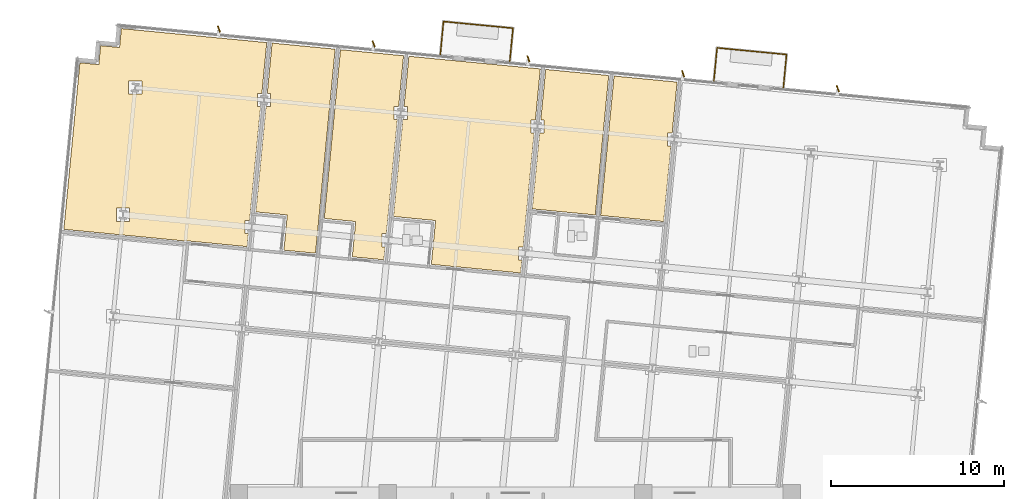
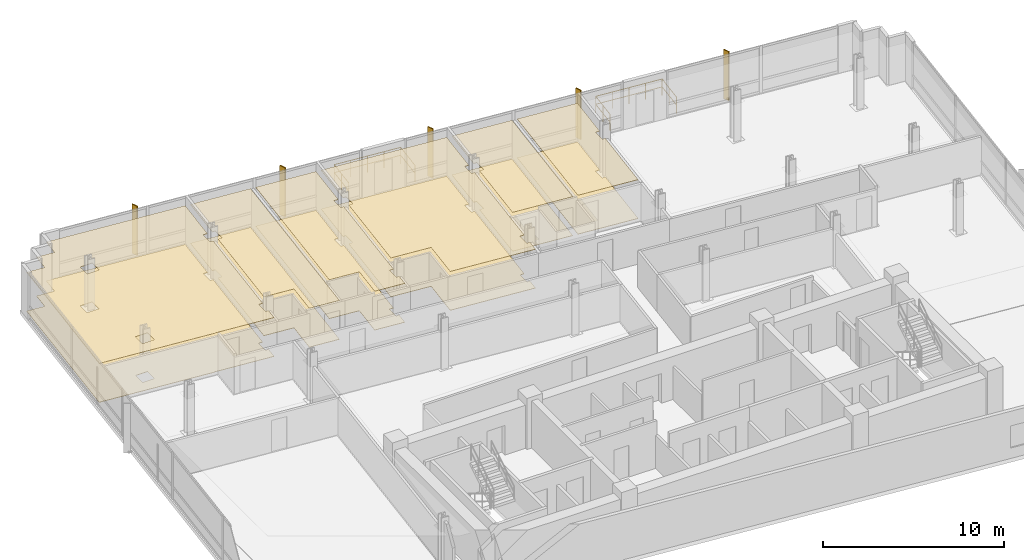
# One storey, part 16 of 17: 12 coverings, 6 railings, 5 shading devices.
"""IFC4 building model written with IfcOpenShell, lengths in metres."""

from ifc_helpers import new_model, si_unit, direction, frame, origin, origin_2d, place, context, subcontext, project, spatial, polyline, rectangle, circle, outline, extrude, material, layer, layer_set, type_object, element, save


model = new_model("IFC4")

# Units and contexts
model_context = context("Model", 3, precision=1e-05, world=origin(), true_north=direction((0.0, 1.0)))
body_context = subcontext(model_context, "Body", "Model", "MODEL_VIEW")
ifc_project = project(units=[si_unit("LENGTHUNIT", "METRE"), si_unit("AREAUNIT", "SQUARE_METRE"), si_unit("VOLUMEUNIT", "CUBIC_METRE"), si_unit("PLANEANGLEUNIT", "RADIAN"), si_unit("MASSUNIT", "GRAM", prefix="KILO")], contexts=[model_context])

# Site, building, storey
site_placement = place(None, origin())
site = spatial("IfcSite", under=ifc_project, at=site_placement, CompositionType="ELEMENT")
building_placement = place(site_placement, origin())
building = spatial("IfcBuilding", under=site, at=building_placement, Name="Solmavex Isthmus Hotel", CompositionType="ELEMENT")
storey_placement = place(building_placement, frame((0.0, 0.0, 156.60009765625)))
storey = spatial("IfcBuildingStorey", under=building, at=storey_placement, Name="L42", CompositionType="ELEMENT", Elevation=156.60009765625)

# Coverings
ifc_material_1 = material(Name="Gypsum plasterboard lining", Category="gypsum")
ifc_layer_1 = layer(ifc_material_1, 0.030029296875)
ifc_layer_set_1 = layer_set([ifc_layer_1], Name="Gypsum plasterboard lining")
covering_type_1 = type_object("IfcCoveringType", Name="COV-CEIL-GYP", PredefinedType="CEILING", material=ifc_layer_set_1)
covering_1_placement = place(storey_placement, frame((0.0, 0.0, 2.619873046875)))
element("IfcCovering", 1, at=covering_1_placement, inside=storey, type_object=covering_type_1, Name="Suspended Acoustic Ceiling L42-RM01", PredefinedType="CEILING", context=body_context, shape_type="SweptSolid", body=[
    extrude(outline(polyline([(-19.121337890625, 12.088623046875), (-19.119384765625, 12.1083984375), (-15.535888671875, 11.763427734375), (-15.463623046875, 12.51611328125), (-15.651123046875, 12.51611328125), (-15.651123046875, 13.276123046875), (-15.390380859375, 13.276123046875), (-14.755126953125, 19.874267578125), (-14.942626953125, 19.874267578125), (-14.942626953125, 20.63427734375), (-14.681884765625, 20.63427734375), (-14.3984375, 23.578857421875), (-21.99609375, 24.310302734375), (-22.8173828125, 24.389404296875), (-22.9228515625, 23.29443359375), (-24.017822265625, 23.39990234375), (-24.123291015625, 22.304931640625), (-25.218017578125, 22.410400390625), (-25.297119140625, 21.589111328125), (-26.14697265625, 12.764892578125), (-19.121337890625, 12.088623046875)]), holes=[polyline([(-22.396240234375, 20.591796875), (-22.396240234375, 21.351806640625), (-21.63623046875, 21.351806640625), (-21.63623046875, 20.591796875), (-22.396240234375, 20.591796875)]), polyline([(-23.104736328125, 13.23388671875), (-23.104736328125, 13.993896484375), (-22.3447265625, 13.993896484375), (-22.3447265625, 13.23388671875), (-23.104736328125, 13.23388671875)])]), origin(), (0.0, 0.0, 1.0), 0.030029296875),
])
covering_2_placement = place(storey_placement, frame((0.0, 0.0, 2.619873046875)))
element("IfcCovering", 2, at=covering_2_placement, inside=storey, type_object=covering_type_1, Name="Suspended Acoustic Ceiling L42-RM02", PredefinedType="CEILING", context=body_context, shape_type="SweptSolid", body=[
    extrude(outline(polyline([(-14.370361328125, 20.63427734375), (-14.1826171875, 20.63427734375), (-14.1826171875, 19.874267578125), (-14.443603515625, 19.874267578125), (-15.031005859375, 13.774169921875), (-13.20947265625, 13.598876953125), (-13.406005859375, 11.558349609375), (-11.576416015625, 11.382080078125), (-10.438720703125, 23.197509765625), (-14.08984375, 23.549072265625), (-14.370361328125, 20.63427734375)])), origin(), (0.0, 0.0, 1.0), 0.030029296875),
])
covering_3_placement = place(storey_placement, frame((0.0, 0.0, 2.619873046875)))
element("IfcCovering", 3, at=covering_3_placement, inside=storey, type_object=covering_type_1, Name="Suspended Acoustic Ceiling L42-RM03", PredefinedType="CEILING", context=body_context, shape_type="SweptSolid", body=[
    extrude(outline(polyline([(-6.835693359375, 19.111572265625), (-7.0234375, 19.111572265625), (-7.0234375, 19.87158203125), (-6.762451171875, 19.87158203125), (-6.47900390625, 22.816162109375), (-10.130126953125, 23.167724609375), (-11.0712890625, 13.39306640625), (-9.249755859375, 13.217529296875), (-9.4462890625, 11.177001953125), (-7.61669921875, 11.000732421875), (-7.544189453125, 11.753662109375), (-7.73193359375, 11.753662109375), (-7.73193359375, 12.513671875), (-7.470947265625, 12.513671875), (-6.835693359375, 19.111572265625)])), origin(), (0.0, 0.0, 1.0), 0.030029296875),
])
covering_4_placement = place(storey_placement, frame((0.0, 0.0, 2.619873046875)))
element("IfcCovering", 4, at=covering_4_placement, inside=storey, type_object=covering_type_1, Name="Suspended Acoustic Ceiling L42-RM04", PredefinedType="CEILING", context=body_context, shape_type="SweptSolid", body=[
    extrude(outline(polyline([(-6.450927734375, 19.87158203125), (-6.263427734375, 19.87158203125), (-6.263427734375, 19.111572265625), (-6.524169921875, 19.111572265625), (-7.0146484375, 14.017822265625), (-7.063720703125, 13.50927734375), (-4.625, 13.274658203125), (-4.869384765625, 10.736328125), (0.302734375, 10.23828125), (0.375244140625, 10.9912109375), (0.1875, 10.9912109375), (0.1875, 11.751220703125), (0.448486328125, 11.751220703125), (1.083740234375, 18.34912109375), (0.89599609375, 18.34912109375), (0.89599609375, 19.109130859375), (1.156982421875, 19.109130859375), (1.4404296875, 22.0537109375), (-6.17041015625, 22.786376953125), (-6.450927734375, 19.87158203125)])), origin(), (0.0, 0.0, 1.0), 0.030029296875),
])
covering_5_placement = place(storey_placement, frame((0.0, 0.0, 2.619873046875)))
element("IfcCovering", 5, at=covering_5_placement, inside=storey, type_object=covering_type_1, Name="Suspended Acoustic Ceiling L42-TB05", PredefinedType="CEILING", context=body_context, shape_type="SweptSolid", body=[
    extrude(outline(polyline([(1.46826171875, 19.109130859375), (1.656005859375, 19.109130859375), (1.656005859375, 18.34912109375), (1.395263671875, 18.34912109375), (0.971435546875, 13.94921875), (4.62255859375, 13.59765625), (5.400146484375, 21.67236328125), (1.7490234375, 22.02392578125), (1.46826171875, 19.109130859375)])), origin(), (0.0, 0.0, 1.0), 0.030029296875),
])
covering_6_placement = place(storey_placement, frame((0.0, 0.0, 2.619873046875)))
element("IfcCovering", 6, at=covering_6_placement, inside=storey, type_object=covering_type_1, Name="Suspended Acoustic Ceiling L42-TL05", PredefinedType="CEILING", context=body_context, shape_type="SweptSolid", body=[
    extrude(outline(polyline([(9.003173828125, 17.586669921875), (8.8154296875, 17.586669921875), (8.8154296875, 18.346435546875), (9.076171875, 18.346435546875), (9.35986328125, 21.291015625), (5.708740234375, 21.642578125), (4.93115234375, 13.568115234375), (8.582275390625, 13.216552734375), (9.003173828125, 17.586669921875)])), origin(), (0.0, 0.0, 1.0), 0.030029296875),
])
ifc_material_2 = material(Name="Travertine natural stone", Category="masonry")
ifc_layer_2 = layer(ifc_material_2, 0.02490234375)
ifc_layer_set_2 = layer_set([ifc_layer_2], Name="Travertine natural stone")
covering_type_2 = type_object("IfcCoveringType", Name="COV-FLOR-STN", PredefinedType="FLOORING", material=ifc_layer_set_2)
covering_7_placement = place(storey_placement, origin())
element("IfcCovering", 7, at=covering_7_placement, inside=storey, type_object=covering_type_2, Name="Stone and Timber Floor Finish L42-RM01", PredefinedType="FLOORING", context=body_context, shape_type="SweptSolid", body=[
    extrude(outline(polyline([(-19.121337890625, 12.088623046875), (-19.119384765625, 12.1083984375), (-15.535888671875, 11.763427734375), (-15.463623046875, 12.51611328125), (-15.651123046875, 12.51611328125), (-15.651123046875, 13.276123046875), (-15.390380859375, 13.276123046875), (-14.755126953125, 19.874267578125), (-14.942626953125, 19.874267578125), (-14.942626953125, 20.63427734375), (-14.681884765625, 20.63427734375), (-14.3984375, 23.578857421875), (-21.99609375, 24.310302734375), (-22.8173828125, 24.389404296875), (-22.9228515625, 23.29443359375), (-24.017822265625, 23.39990234375), (-24.123291015625, 22.304931640625), (-25.218017578125, 22.410400390625), (-25.297119140625, 21.589111328125), (-26.14697265625, 12.764892578125), (-19.121337890625, 12.088623046875)]), holes=[polyline([(-22.396240234375, 20.591796875), (-22.396240234375, 21.351806640625), (-21.63623046875, 21.351806640625), (-21.63623046875, 20.591796875), (-22.396240234375, 20.591796875)]), polyline([(-23.104736328125, 13.23388671875), (-23.104736328125, 13.993896484375), (-22.3447265625, 13.993896484375), (-22.3447265625, 13.23388671875), (-23.104736328125, 13.23388671875)])]), origin(), (0.0, 0.0, 1.0), 0.02490234375),
])
covering_8_placement = place(storey_placement, origin())
element("IfcCovering", 8, at=covering_8_placement, inside=storey, type_object=covering_type_2, Name="Stone and Timber Floor Finish L42-RM02", PredefinedType="FLOORING", context=body_context, shape_type="SweptSolid", body=[
    extrude(outline(polyline([(-14.370361328125, 20.63427734375), (-14.1826171875, 20.63427734375), (-14.1826171875, 19.874267578125), (-14.443603515625, 19.874267578125), (-15.031005859375, 13.774169921875), (-13.20947265625, 13.598876953125), (-13.406005859375, 11.558349609375), (-11.576416015625, 11.382080078125), (-10.438720703125, 23.197509765625), (-14.08984375, 23.549072265625), (-14.370361328125, 20.63427734375)])), origin(), (0.0, 0.0, 1.0), 0.02490234375),
])
covering_9_placement = place(storey_placement, origin())
element("IfcCovering", 9, at=covering_9_placement, inside=storey, type_object=covering_type_2, Name="Stone and Timber Floor Finish L42-RM03", PredefinedType="FLOORING", context=body_context, shape_type="SweptSolid", body=[
    extrude(outline(polyline([(-6.835693359375, 19.111572265625), (-7.0234375, 19.111572265625), (-7.0234375, 19.87158203125), (-6.762451171875, 19.87158203125), (-6.47900390625, 22.816162109375), (-10.130126953125, 23.167724609375), (-11.0712890625, 13.39306640625), (-9.249755859375, 13.217529296875), (-9.4462890625, 11.177001953125), (-7.61669921875, 11.000732421875), (-7.544189453125, 11.753662109375), (-7.73193359375, 11.753662109375), (-7.73193359375, 12.513671875), (-7.470947265625, 12.513671875), (-6.835693359375, 19.111572265625)])), origin(), (0.0, 0.0, 1.0), 0.02490234375),
])
covering_10_placement = place(storey_placement, origin())
element("IfcCovering", 10, at=covering_10_placement, inside=storey, type_object=covering_type_2, Name="Stone and Timber Floor Finish L42-RM04", PredefinedType="FLOORING", context=body_context, shape_type="SweptSolid", body=[
    extrude(outline(polyline([(-6.450927734375, 19.87158203125), (-6.263427734375, 19.87158203125), (-6.263427734375, 19.111572265625), (-6.524169921875, 19.111572265625), (-7.0146484375, 14.017822265625), (-7.063720703125, 13.50927734375), (-4.625, 13.274658203125), (-4.869384765625, 10.736328125), (0.302734375, 10.23828125), (0.375244140625, 10.9912109375), (0.1875, 10.9912109375), (0.1875, 11.751220703125), (0.448486328125, 11.751220703125), (1.083740234375, 18.34912109375), (0.89599609375, 18.34912109375), (0.89599609375, 19.109130859375), (1.156982421875, 19.109130859375), (1.4404296875, 22.0537109375), (-6.17041015625, 22.786376953125), (-6.450927734375, 19.87158203125)])), origin(), (0.0, 0.0, 1.0), 0.02490234375),
])
covering_11_placement = place(storey_placement, origin())
element("IfcCovering", 11, at=covering_11_placement, inside=storey, type_object=covering_type_2, Name="Stone and Timber Floor Finish L42-TB05", PredefinedType="FLOORING", context=body_context, shape_type="SweptSolid", body=[
    extrude(outline(polyline([(1.46826171875, 19.109130859375), (1.656005859375, 19.109130859375), (1.656005859375, 18.34912109375), (1.395263671875, 18.34912109375), (0.971435546875, 13.94921875), (4.62255859375, 13.59765625), (5.400146484375, 21.67236328125), (1.7490234375, 22.02392578125), (1.46826171875, 19.109130859375)])), origin(), (0.0, 0.0, 1.0), 0.02490234375),
])
covering_12_placement = place(storey_placement, origin())
element("IfcCovering", 12, at=covering_12_placement, inside=storey, type_object=covering_type_2, Name="Stone and Timber Floor Finish L42-TL05", PredefinedType="FLOORING", context=body_context, shape_type="SweptSolid", body=[
    extrude(outline(polyline([(9.003173828125, 17.586669921875), (8.8154296875, 17.586669921875), (8.8154296875, 18.346435546875), (9.076171875, 18.346435546875), (9.35986328125, 21.291015625), (5.708740234375, 21.642578125), (4.93115234375, 13.568115234375), (8.582275390625, 13.216552734375), (9.003173828125, 17.586669921875)])), origin(), (0.0, 0.0, 1.0), 0.02490234375),
])

# Railings
ifc_material_3 = material(Name="Clear low-E laminated glass", Category="glass")
ifc_layer_3 = layer(ifc_material_3, 0.070068359375)
ifc_layer_set_3 = layer_set([ifc_layer_3], Name="Clear low-E laminated glass")
railing_type = type_object("IfcRailingType", Name="RAIL-GUARD-1100", PredefinedType="BALUSTRADE", material=ifc_layer_set_3)
railing_1_placement = place(storey_placement, frame((-4.349365234375, 22.887451171875, 0.0)))
element("IfcRailing", 13, at=railing_1_placement, inside=storey, type_object=railing_type, Name="Guardrail Balustrade L42-BAL1-01", PredefinedType="BALUSTRADE", context=body_context, shape_type="SweptSolid", body=[
    extrude(circle(Radius=0.02392578125, at=origin_2d()), frame((0.0, 0.0, 1.09619140625), z_axis=(0.095877165628, 0.995393173129, 0.0), x_axis=(-0.995393173129, 0.095877165628, 0.0)), (0.0, 0.0, 1.0), 1.919921875),
    extrude(circle(Radius=0.02392578125, at=origin_2d()), frame((0.0, 0.0, 0.56005859375), z_axis=(0.095877165628, 0.995393173129, 0.0), x_axis=(-0.995393173129, 0.095877165628, 0.0)), (0.0, 0.0, 1.0), 1.919921875),
    extrude(circle(Radius=0.02099609375, at=origin_2d()), origin(), (0.0, 0.0, 1.0), 1.072021484375),
    extrude(circle(Radius=0.02099609375, at=origin_2d()), frame((0.092041015625, 0.95556640625, 0.0)), (0.0, 0.0, 1.0), 1.072021484375),
    extrude(circle(Radius=0.02099609375, at=origin_2d()), frame((0.18408203125, 1.9111328125, 0.0)), (0.0, 0.0, 1.0), 1.072021484375),
])
railing_2_placement = place(storey_placement, frame((-4.165283203125, 24.798583984375, 0.0)))
element("IfcRailing", 14, at=railing_2_placement, inside=storey, type_object=railing_type, Name="Guardrail Balustrade L42-BAL1-02", PredefinedType="BALUSTRADE", context=body_context, shape_type="SweptSolid", body=[
    extrude(circle(Radius=0.02392578125, at=origin_2d()), frame((0.0, 0.0, 1.09619140625), z_axis=(0.995396620385, -0.095841369593, 0.0), x_axis=(0.095841369593, 0.995396620385, 0.0)), (0.0, 0.0, 1.0), 4.0400390625),
    extrude(circle(Radius=0.02392578125, at=origin_2d()), frame((0.0, 0.0, 0.56005859375), z_axis=(0.995396620385, -0.095841369593, 0.0), x_axis=(0.095841369593, 0.995396620385, 0.0)), (0.0, 0.0, 1.0), 4.0400390625),
    extrude(circle(Radius=0.02099609375, at=origin_2d()), origin(), (0.0, 0.0, 1.0), 1.072021484375),
    extrude(circle(Radius=0.02099609375, at=origin_2d()), frame((1.00537109375, -0.0966796875, 0.0)), (0.0, 0.0, 1.0), 1.072021484375),
    extrude(circle(Radius=0.02099609375, at=origin_2d()), frame((2.0107421875, -0.193603515625, 0.0)), (0.0, 0.0, 1.0), 1.072021484375),
    extrude(circle(Radius=0.02099609375, at=origin_2d()), frame((3.01611328125, -0.29052734375, 0.0)), (0.0, 0.0, 1.0), 1.072021484375),
    extrude(circle(Radius=0.02099609375, at=origin_2d()), frame((4.021484375, -0.38720703125, 0.0)), (0.0, 0.0, 1.0), 1.072021484375),
])
railing_3_placement = place(storey_placement, frame((-0.143798828125, 24.411376953125, 0.0)))
element("IfcRailing", 15, at=railing_3_placement, inside=storey, type_object=railing_type, Name="Guardrail Balustrade L42-BAL1-03", PredefinedType="BALUSTRADE", context=body_context, shape_type="SweptSolid", body=[
    extrude(circle(Radius=0.02392578125, at=origin_2d()), frame((0.0, 0.0, 1.09619140625), z_axis=(-0.095877165628, -0.995393173129, 0.0), x_axis=(0.995393173129, -0.095877165628, 0.0)), (0.0, 0.0, 1.0), 1.919921875),
    extrude(circle(Radius=0.02392578125, at=origin_2d()), frame((0.0, 0.0, 0.56005859375), z_axis=(-0.095877165628, -0.995393173129, 0.0), x_axis=(0.995393173129, -0.095877165628, 0.0)), (0.0, 0.0, 1.0), 1.919921875),
    extrude(circle(Radius=0.02099609375, at=origin_2d()), origin(), (0.0, 0.0, 1.0), 1.072021484375),
    extrude(circle(Radius=0.02099609375, at=origin_2d()), frame((-0.092041015625, -0.95556640625, 0.0)), (0.0, 0.0, 1.0), 1.072021484375),
    extrude(circle(Radius=0.02099609375, at=origin_2d()), frame((-0.18408203125, -1.9111328125, 0.0)), (0.0, 0.0, 1.0), 1.072021484375),
])
railing_4_placement = place(storey_placement, frame((11.489501953125, 21.3623046875, 0.0)))
element("IfcRailing", 16, at=railing_4_placement, inside=storey, type_object=railing_type, Name="Guardrail Balustrade L42-BAL2-01", PredefinedType="BALUSTRADE", context=body_context, shape_type="SweptSolid", body=[
    extrude(circle(Radius=0.02392578125, at=origin_2d()), frame((0.0, 0.0, 1.09619140625), z_axis=(0.095751174172, 0.995405300691, 0.0), x_axis=(-0.995405300691, 0.095751174172, 0.0)), (0.0, 0.0, 1.0), 1.919921875),
    extrude(circle(Radius=0.02392578125, at=origin_2d()), frame((0.0, 0.0, 0.56005859375), z_axis=(0.095751174172, 0.995405300691, 0.0), x_axis=(-0.995405300691, 0.095751174172, 0.0)), (0.0, 0.0, 1.0), 1.919921875),
    extrude(circle(Radius=0.02099609375, at=origin_2d()), origin(), (0.0, 0.0, 1.0), 1.072021484375),
    extrude(circle(Radius=0.02099609375, at=origin_2d()), frame((0.091796875, 0.95556640625, 0.0)), (0.0, 0.0, 1.0), 1.072021484375),
    extrude(circle(Radius=0.02099609375, at=origin_2d()), frame((0.183837890625, 1.9111328125, 0.0)), (0.0, 0.0, 1.0), 1.072021484375),
])
railing_5_placement = place(storey_placement, frame((11.67333984375, 23.2734375, 0.0)))
element("IfcRailing", 17, at=railing_5_placement, inside=storey, type_object=railing_type, Name="Guardrail Balustrade L42-BAL2-02", PredefinedType="BALUSTRADE", context=body_context, shape_type="SweptSolid", body=[
    extrude(circle(Radius=0.02392578125, at=origin_2d()), frame((0.0, 0.0, 1.09619140625), z_axis=(0.995396620385, -0.095841369593, 0.0), x_axis=(0.095841369593, 0.995396620385, 0.0)), (0.0, 0.0, 1.0), 4.0400390625),
    extrude(circle(Radius=0.02392578125, at=origin_2d()), frame((0.0, 0.0, 0.56005859375), z_axis=(0.995396620385, -0.095841369593, 0.0), x_axis=(0.095841369593, 0.995396620385, 0.0)), (0.0, 0.0, 1.0), 4.0400390625),
    extrude(circle(Radius=0.02099609375, at=origin_2d()), origin(), (0.0, 0.0, 1.0), 1.072021484375),
    extrude(circle(Radius=0.02099609375, at=origin_2d()), frame((1.00537109375, -0.0966796875, 0.0)), (0.0, 0.0, 1.0), 1.072021484375),
    extrude(circle(Radius=0.02099609375, at=origin_2d()), frame((2.0107421875, -0.193603515625, 0.0)), (0.0, 0.0, 1.0), 1.072021484375),
    extrude(circle(Radius=0.02099609375, at=origin_2d()), frame((3.01611328125, -0.29052734375, 0.0)), (0.0, 0.0, 1.0), 1.072021484375),
    extrude(circle(Radius=0.02099609375, at=origin_2d()), frame((4.021484375, -0.38720703125, 0.0)), (0.0, 0.0, 1.0), 1.072021484375),
])
railing_6_placement = place(storey_placement, frame((15.69482421875, 22.88623046875, 0.0)))
element("IfcRailing", 18, at=railing_6_placement, inside=storey, type_object=railing_type, Name="Guardrail Balustrade L42-BAL2-03", PredefinedType="BALUSTRADE", context=body_context, shape_type="SweptSolid", body=[
    extrude(circle(Radius=0.02392578125, at=origin_2d()), frame((0.0, 0.0, 1.09619140625), z_axis=(-0.095877165628, -0.995393173129, 0.0), x_axis=(0.995393173129, -0.095877165628, 0.0)), (0.0, 0.0, 1.0), 1.919921875),
    extrude(circle(Radius=0.02392578125, at=origin_2d()), frame((0.0, 0.0, 0.56005859375), z_axis=(-0.095877165628, -0.995393173129, 0.0), x_axis=(0.995393173129, -0.095877165628, 0.0)), (0.0, 0.0, 1.0), 1.919921875),
    extrude(circle(Radius=0.02099609375, at=origin_2d()), origin(), (0.0, 0.0, 1.0), 1.072021484375),
    extrude(circle(Radius=0.02099609375, at=origin_2d()), frame((-0.092041015625, -0.95556640625, 0.0)), (0.0, 0.0, 1.0), 1.072021484375),
    extrude(circle(Radius=0.02099609375, at=origin_2d()), frame((-0.18408203125, -1.9111328125, 0.0)), (0.0, 0.0, 1.0), 1.072021484375),
])

# Shading devices
ifc_material_4 = material(Name="Aluminium alloy 6063-T6", Category="aluminium")
shading_device_type = type_object("IfcShadingDeviceType", Name="SHD-FIN-CHAMP", PredefinedType="USERDEFINED", material=ifc_material_4)
for number, where, z_axis, x_axis, name in (
    (19, (-17.1689453125, 24.36279296875, -0.14013671875), (0.0, 0.0, 1.0), (-0.350207381259, 0.936672189248, 0.0), "Anodised Aluminium Solar Fin L42-N1"),
    (20, (-8.21044921875, 23.500244140625, -0.14013671875), (0.0, 0.0, 1.0), (-0.350207381259, 0.936672189248, 0.0), "Anodised Aluminium Solar Fin L42-N2"),
    (21, (0.748291015625, 22.6376953125, -0.14013671875), (0.0, 0.0, 1.0), (-0.350207381259, 0.936672189248, 0.0), "Anodised Aluminium Solar Fin L42-N3"),
    (22, (9.706787109375, 21.775146484375, -0.14013671875), (0.0, 0.0, 1.0), (-0.350207381259, 0.936672189248, 0.0), "Anodised Aluminium Solar Fin L42-N4"),
    (23, (18.665283203125, 20.912353515625, -0.14013671875), (0.0, 0.0, 1.0), (-0.350207381259, 0.936672189248, 0.0), "Anodised Aluminium Solar Fin L42-N5"),
):
    element("IfcShadingDevice", number, at=place(storey_placement, frame(where, z_axis=z_axis, x_axis=x_axis)), inside=storey, type_object=shading_device_type, Name=name, ObjectType="SOLAR_FIN", PredefinedType="USERDEFINED", context=body_context, shape_type="SweptSolid", body=[
        extrude(rectangle(XDim=0.3798828125, YDim=0.070068359375, at=origin_2d()), origin(), (0.0, 0.0, 1.0), 3.330078125),
    ])

save(model, "model.ifc")
